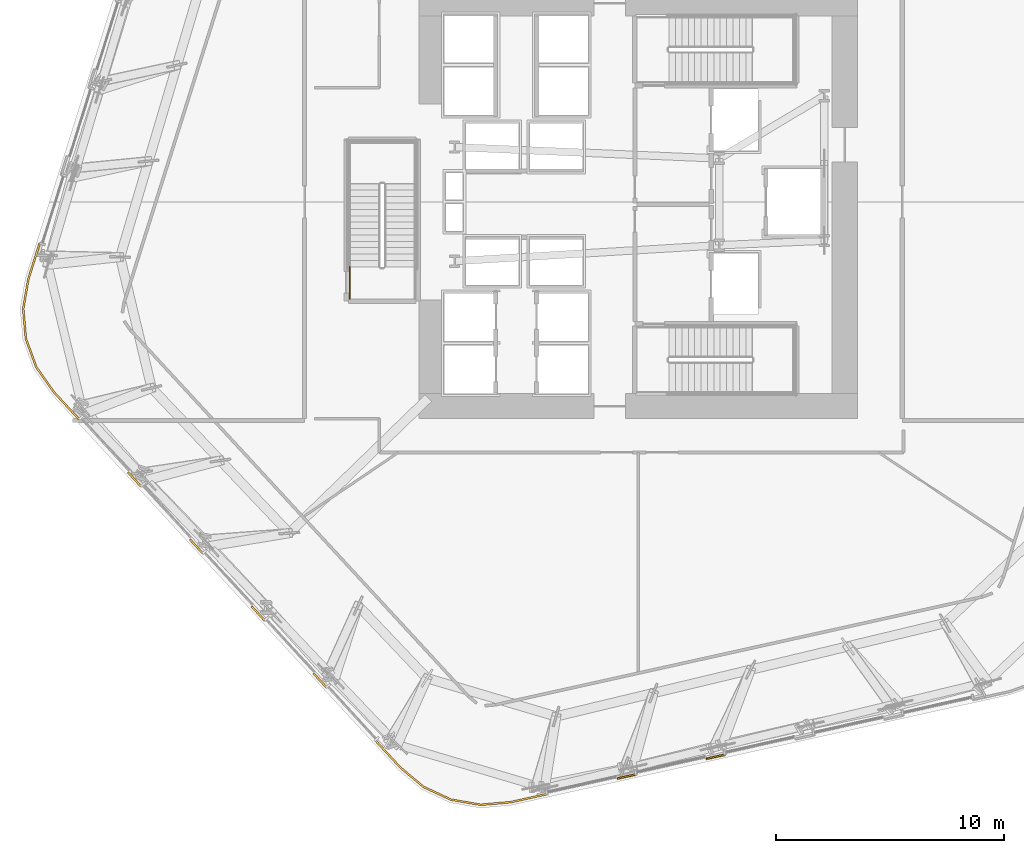
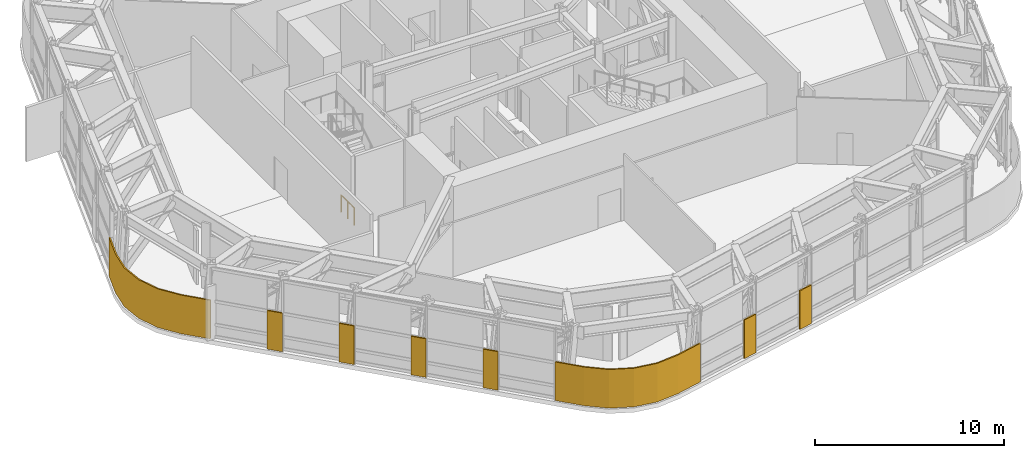
# One storey, part 11 of 16: 8 coverings, 1 railing.
"""IFC4 building model written with IfcOpenShell, lengths in metres."""

from ifc_helpers import new_model, si_unit, direction, frame, origin, origin_2d, place, context, subcontext, project, spatial, polyline, circle, outline, extrude, material, layer, layer_set, type_object, element, save


model = new_model("IFC4")

# Units and contexts
model_context = context("Model", 3, precision=1e-05, world=origin(), true_north=direction((0.0, 1.0)))
body_context = subcontext(model_context, "Body", "Model", "MODEL_VIEW")
ifc_project = project(units=[si_unit("LENGTHUNIT", "METRE"), si_unit("AREAUNIT", "SQUARE_METRE"), si_unit("VOLUMEUNIT", "CUBIC_METRE"), si_unit("PLANEANGLEUNIT", "RADIAN"), si_unit("MASSUNIT", "GRAM", prefix="KILO")], contexts=[model_context])

# Site, building, storey
site_placement = place(None, origin())
site = spatial("IfcSite", under=ifc_project, at=site_placement, CompositionType="ELEMENT")
building_placement = place(site_placement, origin())
building = spatial("IfcBuilding", under=site, at=building_placement, Name="Valkerne Bourse Tower", CompositionType="ELEMENT")
storey_placement = place(building_placement, frame((0.0, 0.0, 77.199951171875)))
storey = spatial("IfcBuildingStorey", under=building, at=storey_placement, Name="L19", CompositionType="ELEMENT", Elevation=77.199951171875)

# Coverings
ifc_material_1 = material(Name="Bronze Anodised Aluminium AA 6063-T6", Category="aluminium")
ifc_layer = layer(ifc_material_1, 0.06005859375)
ifc_layer_set = layer_set([ifc_layer], Name="Bronze Anodised Aluminium AA 6063-T6")
covering_type = type_object("IfcCoveringType", Name="COV-CRN-ALUM", PredefinedType="CLADDING", material=ifc_layer_set)
covering_1_placement = place(storey_placement, origin())
element("IfcCovering", 1, at=covering_1_placement, inside=storey, type_object=covering_type, Name="L19 Wind-Shaped Corner Aluminium Cladding 04", PredefinedType="CLADDING", context=body_context, shape_type="SweptSolid", body=[
    extrude(outline(polyline([(49.787109375, 2.552001953125), (49.769775390625, 2.6298828125), (50.58984375, 2.811767578125), (50.607421875, 2.733642578125), (49.787109375, 2.552001953125)])), origin(), (0.0, 0.0, 1.0), 2.5),
])
covering_2_placement = place(storey_placement, origin())
element("IfcCovering", 2, at=covering_2_placement, inside=storey, type_object=covering_type, Name="L19 Wind-Shaped Corner Aluminium Cladding 05", PredefinedType="CLADDING", context=body_context, shape_type="SweptSolid", body=[
    extrude(outline(polyline([(45.8857421875, 1.687255859375), (45.868408203125, 1.765380859375), (46.6884765625, 1.947021484375), (46.705810546875, 1.868896484375), (45.8857421875, 1.687255859375)])), origin(), (0.0, 0.0, 1.0), 2.5),
])
covering_3_placement = place(storey_placement, origin())
element("IfcCovering", 3, at=covering_3_placement, inside=storey, type_object=covering_type, Name="L19 Wind-Shaped Corner Aluminium Cladding 06", PredefinedType="CLADDING", context=body_context, shape_type="SweptSolid", body=[
    extrude(outline(polyline([(41.221923828125, 0.653564453125), (39.889404296875, 0.53466796875), (38.577880859375, 0.763427734375), (37.37060546875, 1.323974609375), (36.34423828125, 2.18212890625), (35.24462890625, 3.373291015625), (35.3037109375, 3.427490234375), (36.3994140625, 2.239990234375), (37.413818359375, 1.39208984375), (38.60205078125, 0.84033203125), (39.892578125, 0.615234375), (41.209716796875, 0.73291015625), (42.787109375, 1.08251953125), (42.8046875, 1.00439453125), (41.221923828125, 0.653564453125)])), origin(), (0.0, 0.0, 1.0), 2.5),
])
covering_4_placement = place(storey_placement, origin())
element("IfcCovering", 4, at=covering_4_placement, inside=storey, type_object=covering_type, Name="L19 Wind-Shaped Corner Aluminium Cladding 07", PredefinedType="CLADDING", context=body_context, shape_type="SweptSolid", body=[
    extrude(outline(polyline([(32.53466796875, 6.309814453125), (32.593505859375, 6.364013671875), (33.1630859375, 5.746826171875), (33.1044921875, 5.692626953125), (32.53466796875, 6.309814453125)])), origin(), (0.0, 0.0, 1.0), 2.5),
])
covering_5_placement = place(storey_placement, origin())
element("IfcCovering", 5, at=covering_5_placement, inside=storey, type_object=covering_type, Name="L19 Wind-Shaped Corner Aluminium Cladding 08", PredefinedType="CLADDING", context=body_context, shape_type="SweptSolid", body=[
    extrude(outline(polyline([(29.824462890625, 9.24658203125), (29.88330078125, 9.30078125), (30.453125, 8.683349609375), (30.394287109375, 8.629150390625), (29.824462890625, 9.24658203125)])), origin(), (0.0, 0.0, 1.0), 2.5),
])
covering_6_placement = place(storey_placement, origin())
element("IfcCovering", 6, at=covering_6_placement, inside=storey, type_object=covering_type, Name="L19 Wind-Shaped Corner Aluminium Cladding 09", PredefinedType="CLADDING", context=body_context, shape_type="SweptSolid", body=[
    extrude(outline(polyline([(27.114501953125, 12.18310546875), (27.17333984375, 12.2373046875), (27.742919921875, 11.619873046875), (27.68408203125, 11.56591796875), (27.114501953125, 12.18310546875)])), origin(), (0.0, 0.0, 1.0), 2.5),
])
covering_7_placement = place(storey_placement, origin())
element("IfcCovering", 7, at=covering_7_placement, inside=storey, type_object=covering_type, Name="L19 Wind-Shaped Corner Aluminium Cladding 10", PredefinedType="CLADDING", context=body_context, shape_type="SweptSolid", body=[
    extrude(outline(polyline([(24.404296875, 15.11962890625), (24.463134765625, 15.173828125), (25.032958984375, 14.556396484375), (24.97412109375, 14.502197265625), (24.404296875, 15.11962890625)])), origin(), (0.0, 0.0, 1.0), 2.5),
])
covering_8_placement = place(storey_placement, origin())
element("IfcCovering", 8, at=covering_8_placement, inside=storey, type_object=covering_type, Name="L19 Wind-Shaped Corner Aluminium Cladding 11", PredefinedType="CLADDING", context=body_context, shape_type="SweptSolid", body=[
    extrude(outline(polyline([(21.1484375, 18.6474609375), (20.37939453125, 19.741943359375), (19.921875, 20.991943359375), (19.8037109375, 22.31787109375), (20.03369140625, 23.6357421875), (20.5283203125, 25.2041015625), (20.6044921875, 25.180419921875), (20.111572265625, 23.61669921875), (19.88427734375, 22.314453125), (20.000732421875, 21.009521484375), (20.450927734375, 19.779296875), (21.2109375, 18.697998046875), (22.32275390625, 17.4931640625), (22.263916015625, 17.43896484375), (21.1484375, 18.6474609375)])), origin(), (0.0, 0.0, 1.0), 2.5),
])

# Railing
ifc_material_2 = material(Name="Galvanised Painted Steel", Category="steel")
railing_type = type_object("IfcRailingType", Name="RLG-ST-GUARD-1120", PredefinedType="GUARDRAIL", material=ifc_material_2)
railing_placement = place(storey_placement, frame((34.14990234375, 22.75, 0.0)))
element("IfcRailing", 9, at=railing_placement, inside=storey, type_object=railing_type, Name="L19 ST-3 stair guard 9", PredefinedType="GUARDRAIL", context=body_context, shape_type="SweptSolid", body=[
    extrude(circle(Radius=0.02392578125, at=origin_2d()), frame((0.0, 0.0, 1.09619140625), z_axis=(0.0, 1.0, 0.0), x_axis=(-1.0, 0.0, 0.0)), (0.0, 0.0, 1.0), 1.39990234375),
    extrude(circle(Radius=0.02099609375, at=origin_2d()), origin(), (0.0, 0.0, 1.0), 1.072021484375),
    extrude(circle(Radius=0.02099609375, at=origin_2d()), frame((0.0, 0.699951171875, 0.0)), (0.0, 0.0, 1.0), 1.072021484375),
    extrude(circle(Radius=0.02099609375, at=origin_2d()), frame((0.0, 1.39990234375, 0.0)), (0.0, 0.0, 1.0), 1.072021484375),
])

save(model, "model.ifc")
